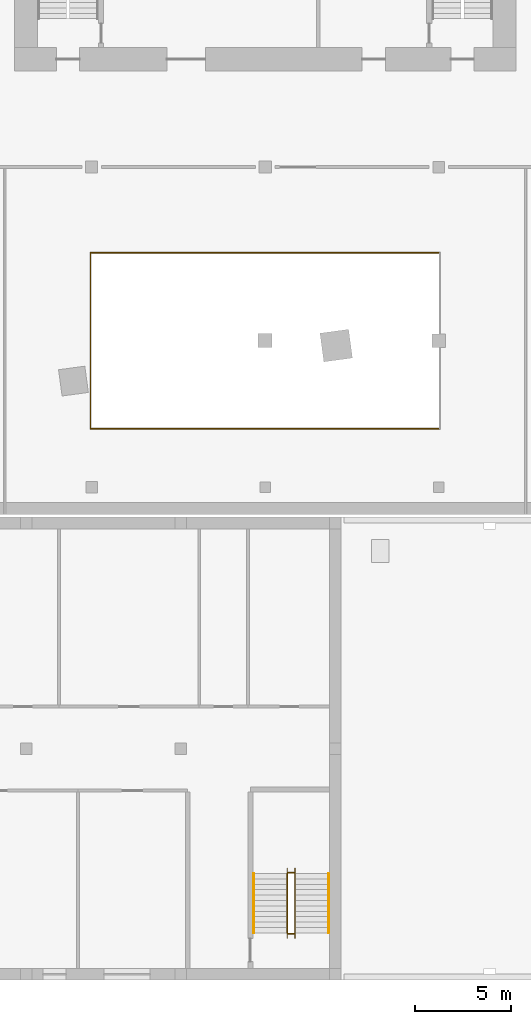
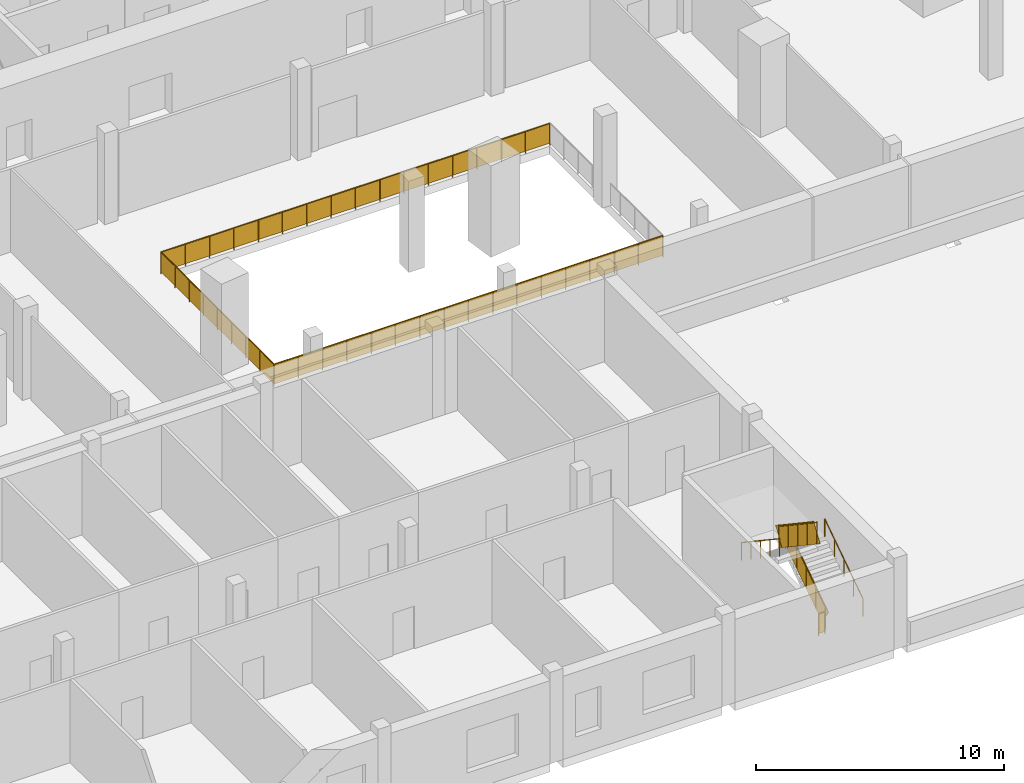
# One storey, part 16 of 20: 9 railings.
"""IFC4 building model written with IfcOpenShell, lengths in metres."""

from ifc_helpers import new_model, si_unit, direction, frame, origin, origin_2d, place, context, subcontext, project, spatial, rectangle, circle, extrude, material, type_object, element, save


model = new_model("IFC4")

# Units and contexts
model_context = context("Model", 3, precision=1e-05, world=origin(), true_north=direction((0.0, 1.0)))
body_context = subcontext(model_context, "Body", "Model", "MODEL_VIEW")
ifc_project = project(units=[si_unit("LENGTHUNIT", "METRE"), si_unit("AREAUNIT", "SQUARE_METRE"), si_unit("VOLUMEUNIT", "CUBIC_METRE"), si_unit("PLANEANGLEUNIT", "RADIAN"), si_unit("MASSUNIT", "GRAM", prefix="KILO")], contexts=[model_context])

# Site, building, storey
site_placement = place(None, origin())
site = spatial("IfcSite", under=ifc_project, at=site_placement, CompositionType="ELEMENT")
building_placement = place(site_placement, origin())
building = spatial("IfcBuilding", under=site, at=building_placement, Name="Dilmun Exchange Tower", CompositionType="ELEMENT")
storey_placement = place(building_placement, frame((0.0, 0.0, 9.0)))
storey = spatial("IfcBuildingStorey", under=building, at=storey_placement, Name="L02", CompositionType="ELEMENT", Elevation=9.0)

# Railings
ifc_material_1 = material(Name="Guard 1100")
railing_type_1 = type_object("IfcRailingType", Name="Guard 1100", PredefinedType="GUARDRAIL", material=ifc_material_1)
railing_1_placement = place(storey_placement, frame((-9.06005859375, -31.56005859375, 0.0)))
element("IfcRailing", 1, at=railing_1_placement, inside=storey, type_object=railing_type_1, Name="L02 guard at the exchange hall gallery opening", PredefinedType="GUARDRAIL", context=body_context, shape_type="SweptSolid", body=[
    extrude(circle(Radius=0.02392578125, at=origin_2d()), frame((0.0, 0.0, 1.076171875), z_axis=(1.0, 0.0, 0.0), x_axis=(0.0, 1.0, 0.0)), (0.0, 0.0, 1.0), 18.1201171875),
    extrude(rectangle(XDim=0.011962890625, YDim=0.951904296875, at=origin_2d()), frame((0.0, 0.0, 0.576171875), z_axis=(1.0, 0.0, 0.0), x_axis=(0.0, 1.0, 0.0)), (0.0, 0.0, 1.0), 18.1201171875),
    extrude(circle(Radius=0.02099609375, at=origin_2d()), origin(), (0.0, 0.0, 1.0), 1.052001953125),
    extrude(circle(Radius=0.02099609375, at=origin_2d()), frame((1.132568359375, 0.0, 0.0)), (0.0, 0.0, 1.0), 1.052001953125),
    extrude(circle(Radius=0.02099609375, at=origin_2d()), frame((2.26513671875, 0.0, 0.0)), (0.0, 0.0, 1.0), 1.052001953125),
    extrude(circle(Radius=0.02099609375, at=origin_2d()), frame((3.3974609375, 0.0, 0.0)), (0.0, 0.0, 1.0), 1.052001953125),
    extrude(circle(Radius=0.02099609375, at=origin_2d()), frame((4.530029296875, 0.0, 0.0)), (0.0, 0.0, 1.0), 1.052001953125),
    extrude(circle(Radius=0.02099609375, at=origin_2d()), frame((5.66259765625, 0.0, 0.0)), (0.0, 0.0, 1.0), 1.052001953125),
    extrude(circle(Radius=0.02099609375, at=origin_2d()), frame((6.794921875, 0.0, 0.0)), (0.0, 0.0, 1.0), 1.052001953125),
    extrude(circle(Radius=0.02099609375, at=origin_2d()), frame((7.927490234375, 0.0, 0.0)), (0.0, 0.0, 1.0), 1.052001953125),
    extrude(circle(Radius=0.02099609375, at=origin_2d()), frame((9.06005859375, 0.0, 0.0)), (0.0, 0.0, 1.0), 1.052001953125),
    extrude(circle(Radius=0.02099609375, at=origin_2d()), frame((10.192626953125, 0.0, 0.0)), (0.0, 0.0, 1.0), 1.052001953125),
    extrude(circle(Radius=0.02099609375, at=origin_2d()), frame((11.3251953125, 0.0, 0.0)), (0.0, 0.0, 1.0), 1.052001953125),
    extrude(circle(Radius=0.02099609375, at=origin_2d()), frame((12.45751953125, 0.0, 0.0)), (0.0, 0.0, 1.0), 1.052001953125),
    extrude(circle(Radius=0.02099609375, at=origin_2d()), frame((13.590087890625, 0.0, 0.0)), (0.0, 0.0, 1.0), 1.052001953125),
    extrude(circle(Radius=0.02099609375, at=origin_2d()), frame((14.72265625, 0.0, 0.0)), (0.0, 0.0, 1.0), 1.052001953125),
    extrude(circle(Radius=0.02099609375, at=origin_2d()), frame((15.85498046875, 0.0, 0.0)), (0.0, 0.0, 1.0), 1.052001953125),
    extrude(circle(Radius=0.02099609375, at=origin_2d()), frame((16.987548828125, 0.0, 0.0)), (0.0, 0.0, 1.0), 1.052001953125),
    extrude(circle(Radius=0.02099609375, at=origin_2d()), frame((18.1201171875, 0.0, 0.0)), (0.0, 0.0, 1.0), 1.052001953125),
])
railing_2_placement = place(storey_placement, frame((9.06005859375, -22.43994140625, 0.0)))
element("IfcRailing", 2, at=railing_2_placement, inside=storey, type_object=railing_type_1, Name="L02 guard at the exchange hall gallery opening", PredefinedType="GUARDRAIL", context=body_context, shape_type="SweptSolid", body=[
    extrude(circle(Radius=0.02392578125, at=origin_2d()), frame((0.0, 0.0, 1.076171875), z_axis=(-1.0, 0.0, 0.0), x_axis=(0.0, -1.0, 0.0)), (0.0, 0.0, 1.0), 18.1201171875),
    extrude(rectangle(XDim=0.011962890625, YDim=0.951904296875, at=origin_2d()), frame((0.0, 0.0, 0.576171875), z_axis=(-1.0, 0.0, 0.0), x_axis=(0.0, -1.0, 0.0)), (0.0, 0.0, 1.0), 18.1201171875),
    extrude(circle(Radius=0.02099609375, at=origin_2d()), origin(), (0.0, 0.0, 1.0), 1.052001953125),
    extrude(circle(Radius=0.02099609375, at=origin_2d()), frame((-1.132568359375, 0.0, 0.0)), (0.0, 0.0, 1.0), 1.052001953125),
    extrude(circle(Radius=0.02099609375, at=origin_2d()), frame((-2.26513671875, 0.0, 0.0)), (0.0, 0.0, 1.0), 1.052001953125),
    extrude(circle(Radius=0.02099609375, at=origin_2d()), frame((-3.3974609375, 0.0, 0.0)), (0.0, 0.0, 1.0), 1.052001953125),
    extrude(circle(Radius=0.02099609375, at=origin_2d()), frame((-4.530029296875, 0.0, 0.0)), (0.0, 0.0, 1.0), 1.052001953125),
    extrude(circle(Radius=0.02099609375, at=origin_2d()), frame((-5.66259765625, 0.0, 0.0)), (0.0, 0.0, 1.0), 1.052001953125),
    extrude(circle(Radius=0.02099609375, at=origin_2d()), frame((-6.794921875, 0.0, 0.0)), (0.0, 0.0, 1.0), 1.052001953125),
    extrude(circle(Radius=0.02099609375, at=origin_2d()), frame((-7.927490234375, 0.0, 0.0)), (0.0, 0.0, 1.0), 1.052001953125),
    extrude(circle(Radius=0.02099609375, at=origin_2d()), frame((-9.06005859375, 0.0, 0.0)), (0.0, 0.0, 1.0), 1.052001953125),
    extrude(circle(Radius=0.02099609375, at=origin_2d()), frame((-10.192626953125, 0.0, 0.0)), (0.0, 0.0, 1.0), 1.052001953125),
    extrude(circle(Radius=0.02099609375, at=origin_2d()), frame((-11.3251953125, 0.0, 0.0)), (0.0, 0.0, 1.0), 1.052001953125),
    extrude(circle(Radius=0.02099609375, at=origin_2d()), frame((-12.45751953125, 0.0, 0.0)), (0.0, 0.0, 1.0), 1.052001953125),
    extrude(circle(Radius=0.02099609375, at=origin_2d()), frame((-13.590087890625, 0.0, 0.0)), (0.0, 0.0, 1.0), 1.052001953125),
    extrude(circle(Radius=0.02099609375, at=origin_2d()), frame((-14.72265625, 0.0, 0.0)), (0.0, 0.0, 1.0), 1.052001953125),
    extrude(circle(Radius=0.02099609375, at=origin_2d()), frame((-15.85498046875, 0.0, 0.0)), (0.0, 0.0, 1.0), 1.052001953125),
    extrude(circle(Radius=0.02099609375, at=origin_2d()), frame((-16.987548828125, 0.0, 0.0)), (0.0, 0.0, 1.0), 1.052001953125),
    extrude(circle(Radius=0.02099609375, at=origin_2d()), frame((-18.1201171875, 0.0, 0.0)), (0.0, 0.0, 1.0), 1.052001953125),
])
railing_3_placement = place(storey_placement, frame((-9.06005859375, -22.43994140625, 0.0)))
element("IfcRailing", 3, at=railing_3_placement, inside=storey, type_object=railing_type_1, Name="L02 guard at the exchange hall gallery opening", PredefinedType="GUARDRAIL", context=body_context, shape_type="SweptSolid", body=[
    extrude(circle(Radius=0.02392578125, at=origin_2d()), frame((0.0, 0.0, 1.076171875), z_axis=(0.0, -1.0, 0.0), x_axis=(1.0, 0.0, 0.0)), (0.0, 0.0, 1.0), 9.1201171875),
    extrude(rectangle(XDim=0.011962890625, YDim=0.951904296875, at=origin_2d()), frame((0.0, 0.0, 0.576171875), z_axis=(0.0, -1.0, 0.0), x_axis=(1.0, 0.0, 0.0)), (0.0, 0.0, 1.0), 9.1201171875),
    extrude(circle(Radius=0.02099609375, at=origin_2d()), origin(), (0.0, 0.0, 1.0), 1.052001953125),
    extrude(circle(Radius=0.02099609375, at=origin_2d()), frame((0.0, -1.14013671875, 0.0)), (0.0, 0.0, 1.0), 1.052001953125),
    extrude(circle(Radius=0.02099609375, at=origin_2d()), frame((0.0, -2.280029296875, 0.0)), (0.0, 0.0, 1.0), 1.052001953125),
    extrude(circle(Radius=0.02099609375, at=origin_2d()), frame((0.0, -3.419921875, 0.0)), (0.0, 0.0, 1.0), 1.052001953125),
    extrude(circle(Radius=0.02099609375, at=origin_2d()), frame((0.0, -4.56005859375, 0.0)), (0.0, 0.0, 1.0), 1.052001953125),
    extrude(circle(Radius=0.02099609375, at=origin_2d()), frame((0.0, -5.7001953125, 0.0)), (0.0, 0.0, 1.0), 1.052001953125),
    extrude(circle(Radius=0.02099609375, at=origin_2d()), frame((0.0, -6.840087890625, 0.0)), (0.0, 0.0, 1.0), 1.052001953125),
    extrude(circle(Radius=0.02099609375, at=origin_2d()), frame((0.0, -7.97998046875, 0.0)), (0.0, 0.0, 1.0), 1.052001953125),
    extrude(circle(Radius=0.02099609375, at=origin_2d()), frame((0.0, -9.1201171875, 0.0)), (0.0, 0.0, 1.0), 1.052001953125),
])
ifc_material_2 = material(Name="Steel S355", Category="steel")
railing_type_2 = type_object("IfcRailingType", Name="School stair guard 1100", PredefinedType="GUARDRAIL", material=ifc_material_2)
railing_4_placement = place(storey_placement, frame((1.54296875, -57.7099609375, 0.1875)))
element("IfcRailing", 4, at=railing_4_placement, inside=storey, type_object=railing_type_2, Name="L02 SCH-S3 stair guard 1", PredefinedType="GUARDRAIL", context=body_context, shape_type="SweptSolid", body=[
    extrude(circle(Radius=0.02392578125, at=origin_2d()), frame((0.0, 0.0, 1.076171875), z_axis=(0.0, 0.830913701846, 0.55640131208), x_axis=(-1.0, 0.0, 0.0)), (0.0, 0.0, 1.0), 3.706787109375),
    extrude(rectangle(XDim=0.011962890625, YDim=0.951904296875, at=origin_2d()), frame((0.0, 0.0, 0.576171875), z_axis=(0.0, 0.830913701846, 0.55640131208), x_axis=(-1.0, 0.0, 0.0)), (0.0, 0.0, 1.0), 3.706787109375),
    extrude(circle(Radius=0.02099609375, at=origin_2d()), origin(), (0.0, 0.0, 1.0), 1.052001953125),
    extrude(circle(Radius=0.02099609375, at=origin_2d()), frame((0.0, 0.77001953125, 0.515625)), (0.0, 0.0, 1.0), 1.052001953125),
    extrude(circle(Radius=0.02099609375, at=origin_2d()), frame((0.0, 1.5400390625, 1.03125)), (0.0, 0.0, 1.0), 1.052001953125),
    extrude(circle(Radius=0.02099609375, at=origin_2d()), frame((0.0, 2.31005859375, 1.546875)), (0.0, 0.0, 1.0), 1.052001953125),
    extrude(circle(Radius=0.02099609375, at=origin_2d()), frame((0.0, 3.080078125, 2.0625)), (0.0, 0.0, 1.0), 1.052001953125),
])
railing_5_placement = place(storey_placement, frame((1.492919921875, -54.580078125, 2.25)))
element("IfcRailing", 5, at=railing_5_placement, inside=storey, type_object=railing_type_2, Name="L02 SCH-S3 stair guard 2", PredefinedType="GUARDRAIL", context=body_context, shape_type="SweptSolid", body=[
    extrude(circle(Radius=0.02392578125, at=origin_2d()), frame((0.0, 0.0, 1.076171875), z_axis=(-1.0, 0.0, 0.0), x_axis=(0.0, -1.0, 0.0)), (0.0, 0.0, 1.0), 0.2998046875),
    extrude(rectangle(XDim=0.011962890625, YDim=0.951904296875, at=origin_2d()), frame((0.0, 0.0, 0.576171875), z_axis=(-1.0, 0.0, 0.0), x_axis=(0.0, -1.0, 0.0)), (0.0, 0.0, 1.0), 0.2998046875),
    extrude(circle(Radius=0.02099609375, at=origin_2d()), origin(), (0.0, 0.0, 1.0), 1.052001953125),
    extrude(circle(Radius=0.02099609375, at=origin_2d()), frame((-0.2998046875, 0.0, 0.0)), (0.0, 0.0, 1.0), 1.052001953125),
])
railing_6_placement = place(storey_placement, frame((1.14306640625, -54.6298828125, 2.4375)))
element("IfcRailing", 6, at=railing_6_placement, inside=storey, type_object=railing_type_2, Name="L02 SCH-S3 stair guard 3", PredefinedType="GUARDRAIL", context=body_context, shape_type="SweptSolid", body=[
    extrude(circle(Radius=0.02392578125, at=origin_2d()), frame((0.0, 0.0, 1.076171875), z_axis=(0.0, -0.830913701846, 0.55640131208), x_axis=(1.0, 0.0, 0.0)), (0.0, 0.0, 1.0), 3.706787109375),
    extrude(rectangle(XDim=0.011962890625, YDim=0.951904296875, at=origin_2d()), frame((0.0, 0.0, 0.576171875), z_axis=(0.0, -0.830913701846, 0.55640131208), x_axis=(1.0, 0.0, 0.0)), (0.0, 0.0, 1.0), 3.706787109375),
    extrude(circle(Radius=0.02099609375, at=origin_2d()), origin(), (0.0, 0.0, 1.0), 1.052001953125),
    extrude(circle(Radius=0.02099609375, at=origin_2d()), frame((0.0, -0.77001953125, 0.515625)), (0.0, 0.0, 1.0), 1.052001953125),
    extrude(circle(Radius=0.02099609375, at=origin_2d()), frame((0.0, -1.5400390625, 1.03125)), (0.0, 0.0, 1.0), 1.052001953125),
    extrude(circle(Radius=0.02099609375, at=origin_2d()), frame((0.0, -2.31005859375, 1.546875)), (0.0, 0.0, 1.0), 1.052001953125),
    extrude(circle(Radius=0.02099609375, at=origin_2d()), frame((0.0, -3.080078125, 2.0625)), (0.0, 0.0, 1.0), 1.052001953125),
])
railing_7_placement = place(storey_placement, frame((1.492919921875, -57.760009765625, 0.0)))
element("IfcRailing", 7, at=railing_7_placement, inside=storey, type_object=railing_type_2, Name="L02 SCH-S3 stair guard 4", PredefinedType="GUARDRAIL", context=body_context, shape_type="SweptSolid", body=[
    extrude(circle(Radius=0.02392578125, at=origin_2d()), frame((0.0, 0.0, 1.076171875), z_axis=(-1.0, 0.0, 0.0), x_axis=(0.0, -1.0, 0.0)), (0.0, 0.0, 1.0), 0.2998046875),
    extrude(rectangle(XDim=0.011962890625, YDim=0.951904296875, at=origin_2d()), frame((0.0, 0.0, 0.576171875), z_axis=(-1.0, 0.0, 0.0), x_axis=(0.0, -1.0, 0.0)), (0.0, 0.0, 1.0), 0.2998046875),
    extrude(circle(Radius=0.02099609375, at=origin_2d()), origin(), (0.0, 0.0, 1.0), 1.052001953125),
    extrude(circle(Radius=0.02099609375, at=origin_2d()), frame((-0.2998046875, 0.0, 0.0)), (0.0, 0.0, 1.0), 1.052001953125),
])
railing_type_3 = type_object("IfcRailingType", Name="School stair handrail 900", PredefinedType="HANDRAIL", material=ifc_material_2)
railing_8_placement = place(storey_placement, frame((3.282958984375, -57.7099609375, 0.1875)))
element("IfcRailing", 8, at=railing_8_placement, inside=storey, type_object=railing_type_3, Name="L02 SCH-S3 stair handrail 1", PredefinedType="HANDRAIL", context=body_context, shape_type="SweptSolid", body=[
    extrude(circle(Radius=0.02392578125, at=origin_2d()), frame((0.0, 0.0, 0.8759765625), z_axis=(0.0, 0.830913701846, 0.55640131208), x_axis=(-1.0, 0.0, 0.0)), (0.0, 0.0, 1.0), 3.706787109375),
    extrude(circle(Radius=0.02099609375, at=origin_2d()), origin(), (0.0, 0.0, 1.0), 0.851806640625),
    extrude(circle(Radius=0.02099609375, at=origin_2d()), frame((0.0, 0.77001953125, 0.515625)), (0.0, 0.0, 1.0), 0.851806640625),
    extrude(circle(Radius=0.02099609375, at=origin_2d()), frame((0.0, 1.5400390625, 1.03125)), (0.0, 0.0, 1.0), 0.851806640625),
    extrude(circle(Radius=0.02099609375, at=origin_2d()), frame((0.0, 2.31005859375, 1.546875)), (0.0, 0.0, 1.0), 0.851806640625),
    extrude(circle(Radius=0.02099609375, at=origin_2d()), frame((0.0, 3.080078125, 2.0625)), (0.0, 0.0, 1.0), 0.851806640625),
])
railing_9_placement = place(storey_placement, frame((-0.596923828125, -54.6298828125, 2.4375)))
element("IfcRailing", 9, at=railing_9_placement, inside=storey, type_object=railing_type_3, Name="L02 SCH-S3 stair handrail 2", PredefinedType="HANDRAIL", context=body_context, shape_type="SweptSolid", body=[
    extrude(circle(Radius=0.02392578125, at=origin_2d()), frame((0.0, 0.0, 0.8759765625), z_axis=(0.0, -0.830913701846, 0.55640131208), x_axis=(1.0, 0.0, 0.0)), (0.0, 0.0, 1.0), 3.706787109375),
    extrude(circle(Radius=0.02099609375, at=origin_2d()), origin(), (0.0, 0.0, 1.0), 0.851806640625),
    extrude(circle(Radius=0.02099609375, at=origin_2d()), frame((0.0, -0.77001953125, 0.515625)), (0.0, 0.0, 1.0), 0.851806640625),
    extrude(circle(Radius=0.02099609375, at=origin_2d()), frame((0.0, -1.5400390625, 1.03125)), (0.0, 0.0, 1.0), 0.851806640625),
    extrude(circle(Radius=0.02099609375, at=origin_2d()), frame((0.0, -2.31005859375, 1.546875)), (0.0, 0.0, 1.0), 0.851806640625),
    extrude(circle(Radius=0.02099609375, at=origin_2d()), frame((0.0, -3.080078125, 2.0625)), (0.0, 0.0, 1.0), 0.851806640625),
])

save(model, "model.ifc")
